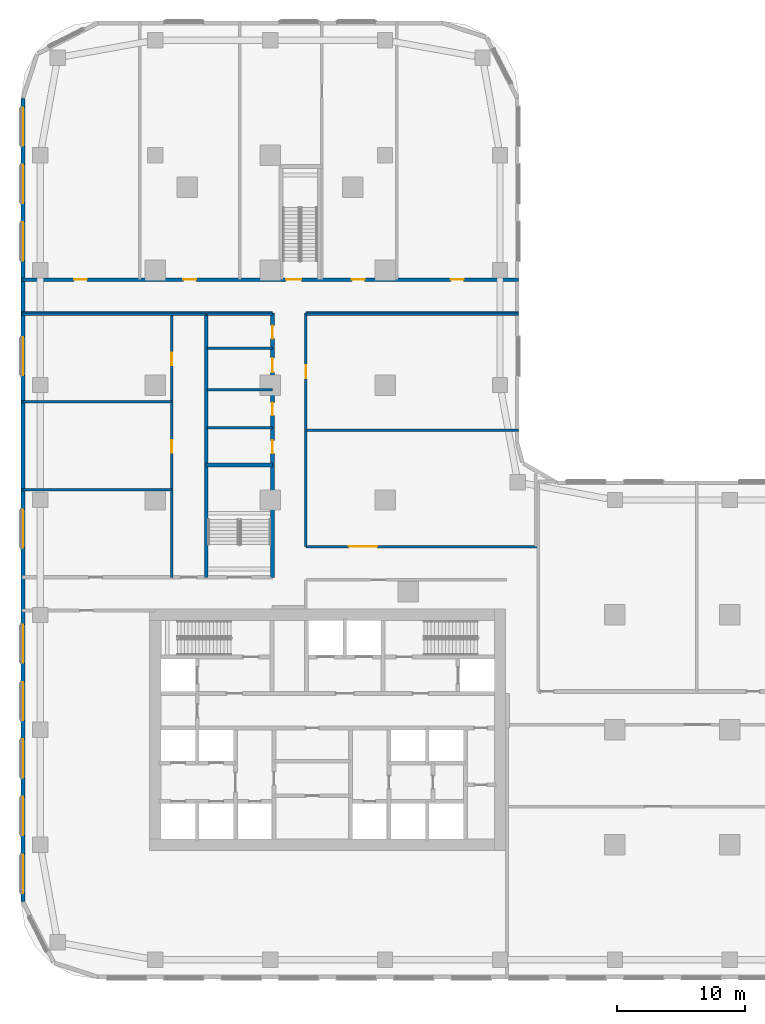
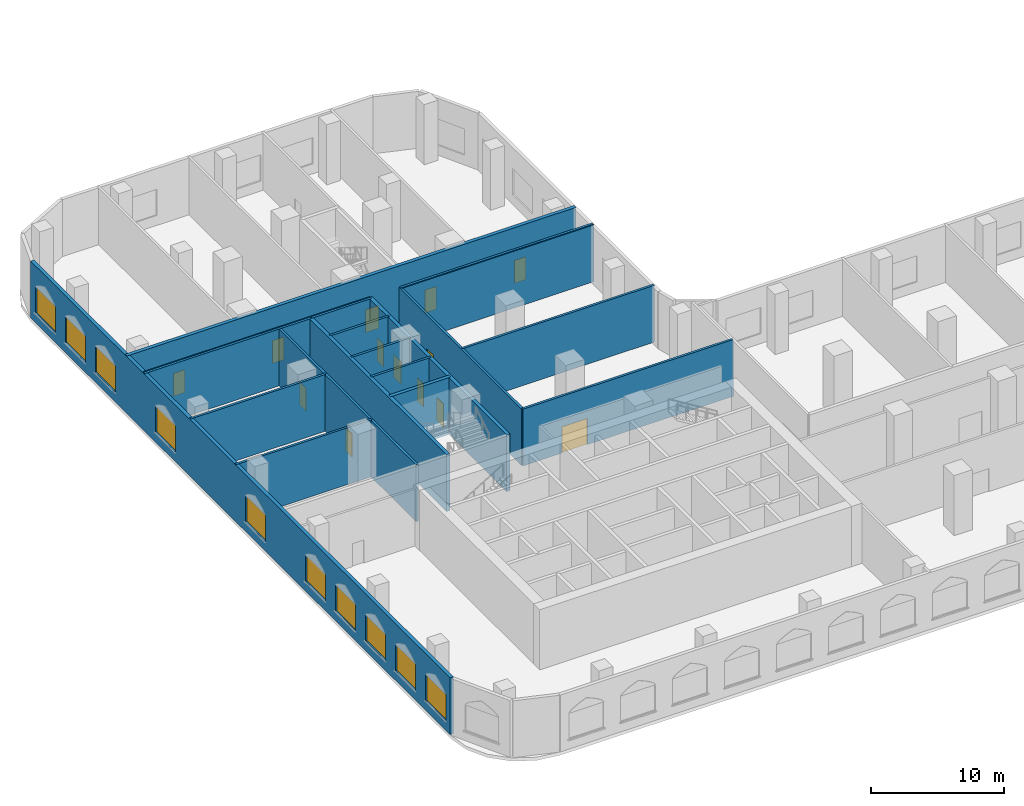
# One storey, part 6 of 31: 19 walls, 13 doors, 10 windows, 23 openings.
"""IFC4 building model written with IfcOpenShell, lengths in metres."""

from ifc_helpers import new_model, si_unit, direction, frame, frame_2d, origin, place, context, subcontext, project, spatial, rectangle, extrude, material, layer, layer_set, type_object, element, fill, save


model = new_model("IFC4")

# Units and contexts
model_context = context("Model", 3, precision=1e-05, world=origin(), true_north=direction((0.0, 1.0)))
body_context = subcontext(model_context, "Body", "Model", "MODEL_VIEW")
ifc_project = project(units=[si_unit("LENGTHUNIT", "METRE"), si_unit("AREAUNIT", "SQUARE_METRE"), si_unit("VOLUMEUNIT", "CUBIC_METRE"), si_unit("PLANEANGLEUNIT", "RADIAN"), si_unit("MASSUNIT", "GRAM", prefix="KILO")], contexts=[model_context])

# Site, building, storey
site_placement = place(None, origin())
site = spatial("IfcSite", under=ifc_project, at=site_placement, CompositionType="ELEMENT")
building_placement = place(site_placement, origin())
building = spatial("IfcBuilding", under=site, at=building_placement, Name="Ogive Portal Towers", CompositionType="ELEMENT")
storey_placement = place(building_placement, frame((0.0, 0.0, 8.0)))
storey = spatial("IfcBuildingStorey", under=building, at=storey_placement, Name="L01", CompositionType="ELEMENT", Elevation=8.0)

# Wall, openings, windows
ifc_material_1 = material(Name="Limestone cladding on lightweight block wall", Category="masonry")
ifc_layer_1 = layer(ifc_material_1, 0.300048828125)
ifc_layer_set_1 = layer_set([ifc_layer_1], Name="EXTERNAL WALL 300 STONE")
wall_type_1 = type_object("IfcWallType", Name="EXTERNAL WALL 300 STONE", PredefinedType="SOLIDWALL", material=ifc_layer_set_1)
wall_1_placement = place(storey_placement, frame((21.14990234375, 79.952392578125, 0.0), z_axis=(0.0, 0.0, 1.0), x_axis=(0.0, -1.0, 0.0)))
wall_1 = element("IfcWall", 1, at=wall_1_placement, inside=storey, type_object=wall_type_1, Name="A:L01:f17:w0", PredefinedType="SOLIDWALL", context=body_context, shape_type="SweptSolid", body=[
    extrude(rectangle(XDim=62.88037109375, YDim=0.300048828125, at=frame_2d((31.440185546875, 0.0))), origin(), (0.0, 0.0, 1.0), 5.199951171875),
])
opening_1_placement = place(wall_1_placement, frame((0.726318359375, 0.0, 0.89990234375)))
opening_1 = element("IfcOpeningElement", 2, at=opening_1_placement, cuts=wall_1, Name="Opening WN3", PredefinedType="OPENING", context=body_context, shape_type="SweptSolid", body=[
    extrude(rectangle(XDim=3.0, YDim=2.39990234375, at=frame_2d((1.5, 1.199951171875))), frame((0.0, 0.16015625, 0.0), z_axis=(0.0, -1.0, 0.0), x_axis=(1.0, 0.0, 0.0)), (0.0, 0.0, 1.0), 0.320068359375),
])
opening_2_placement = place(wall_1_placement, frame((5.202392578125, 0.0, 0.89990234375)))
opening_2 = element("IfcOpeningElement", 3, at=opening_2_placement, cuts=wall_1, Name="Opening WN3", PredefinedType="OPENING", context=body_context, shape_type="SweptSolid", body=[
    extrude(rectangle(XDim=3.0, YDim=2.39990234375, at=frame_2d((1.5, 1.199951171875))), frame((0.0, 0.16015625, 0.0), z_axis=(0.0, -1.0, 0.0), x_axis=(1.0, 0.0, 0.0)), (0.0, 0.0, 1.0), 0.320068359375),
])
opening_3_placement = place(wall_1_placement, frame((9.702392578125, 0.0, 0.89990234375)))
opening_3 = element("IfcOpeningElement", 4, at=opening_3_placement, cuts=wall_1, Name="Opening WN3", PredefinedType="OPENING", context=body_context, shape_type="SweptSolid", body=[
    extrude(rectangle(XDim=3.0, YDim=2.39990234375, at=frame_2d((1.5, 1.199951171875))), frame((0.0, 0.16015625, 0.0), z_axis=(0.0, -1.0, 0.0), x_axis=(1.0, 0.0, 0.0)), (0.0, 0.0, 1.0), 0.320068359375),
])
opening_4_placement = place(wall_1_placement, frame((18.702392578125, 0.0, 0.89990234375)))
opening_4 = element("IfcOpeningElement", 5, at=opening_4_placement, cuts=wall_1, Name="Opening WN3", PredefinedType="OPENING", context=body_context, shape_type="SweptSolid", body=[
    extrude(rectangle(XDim=3.0, YDim=2.39990234375, at=frame_2d((1.5, 1.199951171875))), frame((0.0, 0.16015625, 0.0), z_axis=(0.0, -1.0, 0.0), x_axis=(1.0, 0.0, 0.0)), (0.0, 0.0, 1.0), 0.320068359375),
])
opening_5_placement = place(wall_1_placement, frame((32.202392578125, 0.0, 0.89990234375)))
opening_5 = element("IfcOpeningElement", 6, at=opening_5_placement, cuts=wall_1, Name="Opening WN3", PredefinedType="OPENING", context=body_context, shape_type="SweptSolid", body=[
    extrude(rectangle(XDim=3.0, YDim=2.39990234375, at=frame_2d((1.5, 1.199951171875))), frame((0.0, 0.16015625, 0.0), z_axis=(0.0, -1.0, 0.0), x_axis=(1.0, 0.0, 0.0)), (0.0, 0.0, 1.0), 0.320068359375),
])
opening_6_placement = place(wall_1_placement, frame((41.202392578125, 0.0, 0.89990234375)))
opening_6 = element("IfcOpeningElement", 7, at=opening_6_placement, cuts=wall_1, Name="Opening WN3", PredefinedType="OPENING", context=body_context, shape_type="SweptSolid", body=[
    extrude(rectangle(XDim=3.0, YDim=2.39990234375, at=frame_2d((1.5, 1.199951171875))), frame((0.0, 0.16015625, 0.0), z_axis=(0.0, -1.0, 0.0), x_axis=(1.0, 0.0, 0.0)), (0.0, 0.0, 1.0), 0.320068359375),
])
opening_7_placement = place(wall_1_placement, frame((45.702392578125, 0.0, 0.89990234375)))
opening_7 = element("IfcOpeningElement", 8, at=opening_7_placement, cuts=wall_1, Name="Opening WN3", PredefinedType="OPENING", context=body_context, shape_type="SweptSolid", body=[
    extrude(rectangle(XDim=3.0, YDim=2.39990234375, at=frame_2d((1.5, 1.199951171875))), frame((0.0, 0.16015625, 0.0), z_axis=(0.0, -1.0, 0.0), x_axis=(1.0, 0.0, 0.0)), (0.0, 0.0, 1.0), 0.320068359375),
])
opening_8_placement = place(wall_1_placement, frame((50.202392578125, 0.0, 0.89990234375)))
opening_8 = element("IfcOpeningElement", 9, at=opening_8_placement, cuts=wall_1, Name="Opening WN3", PredefinedType="OPENING", context=body_context, shape_type="SweptSolid", body=[
    extrude(rectangle(XDim=3.0, YDim=2.39990234375, at=frame_2d((1.5, 1.199951171875))), frame((0.0, 0.16015625, 0.0), z_axis=(0.0, -1.0, 0.0), x_axis=(1.0, 0.0, 0.0)), (0.0, 0.0, 1.0), 0.320068359375),
])
opening_9_placement = place(wall_1_placement, frame((54.702392578125, 0.0, 0.89990234375)))
opening_9 = element("IfcOpeningElement", 10, at=opening_9_placement, cuts=wall_1, Name="Opening WN3", PredefinedType="OPENING", context=body_context, shape_type="SweptSolid", body=[
    extrude(rectangle(XDim=3.0, YDim=2.39990234375, at=frame_2d((1.5, 1.199951171875))), frame((0.0, 0.16015625, 0.0), z_axis=(0.0, -1.0, 0.0), x_axis=(1.0, 0.0, 0.0)), (0.0, 0.0, 1.0), 0.320068359375),
])
opening_10_placement = place(wall_1_placement, frame((59.226318359375, 0.0, 0.89990234375)))
opening_10 = element("IfcOpeningElement", 11, at=opening_10_placement, cuts=wall_1, Name="Opening WN3", PredefinedType="OPENING", context=body_context, shape_type="SweptSolid", body=[
    extrude(rectangle(XDim=3.0, YDim=2.39990234375, at=frame_2d((1.5, 1.199951171875))), frame((0.0, 0.16015625, 0.0), z_axis=(0.0, -1.0, 0.0), x_axis=(1.0, 0.0, 0.0)), (0.0, 0.0, 1.0), 0.320068359375),
])
ifc_material_2 = material(Name="Glass, clear low-iron insulated glazing", Category="glass")
window_type = type_object("IfcWindowType", Name="WINDOW PODIUM 3000x2400", PartitioningType="SINGLE_PANEL", PredefinedType="WINDOW", material=ifc_material_2)
window_1_placement = place(opening_1_placement, origin())
window_1 = element("IfcWindow", 12, at=window_1_placement, inside=storey, type_object=window_type, Name="A:L01:f17:w0:o0", OverallHeight=2.39990234375, OverallWidth=3.0, PartitioningType="SINGLE_PANEL", PredefinedType="WINDOW", context=body_context, shape_type="SweptSolid", body=[
    extrude(rectangle(XDim=3.0, YDim=2.39990234375, at=frame_2d((1.5, 1.199951171875))), frame((0.0, 0.030029296875, 0.0), z_axis=(0.0, -1.0, 0.0), x_axis=(1.0, 0.0, 0.0)), (0.0, 0.0, 1.0), 0.06005859375),
])
fill(opening_1, window_1)
window_2_placement = place(opening_2_placement, origin())
window_2 = element("IfcWindow", 13, at=window_2_placement, inside=storey, type_object=window_type, Name="A:L01:f17:w0:o1a", OverallHeight=2.39990234375, OverallWidth=3.0, PartitioningType="SINGLE_PANEL", PredefinedType="WINDOW", context=body_context, shape_type="SweptSolid", body=[
    extrude(rectangle(XDim=3.0, YDim=2.39990234375, at=frame_2d((1.5, 1.199951171875))), frame((0.0, 0.030029296875, 0.0), z_axis=(0.0, -1.0, 0.0), x_axis=(1.0, 0.0, 0.0)), (0.0, 0.0, 1.0), 0.06005859375),
])
fill(opening_2, window_2)
window_3_placement = place(opening_3_placement, origin())
window_3 = element("IfcWindow", 14, at=window_3_placement, inside=storey, type_object=window_type, Name="A:L01:f17:w0:o1b", OverallHeight=2.39990234375, OverallWidth=3.0, PartitioningType="SINGLE_PANEL", PredefinedType="WINDOW", context=body_context, shape_type="SweptSolid", body=[
    extrude(rectangle(XDim=3.0, YDim=2.39990234375, at=frame_2d((1.5, 1.199951171875))), frame((0.0, 0.030029296875, 0.0), z_axis=(0.0, -1.0, 0.0), x_axis=(1.0, 0.0, 0.0)), (0.0, 0.0, 1.0), 0.06005859375),
])
fill(opening_3, window_3)
window_4_placement = place(opening_4_placement, origin())
window_4 = element("IfcWindow", 15, at=window_4_placement, inside=storey, type_object=window_type, Name="A:L01:f17:w0:o2b", OverallHeight=2.39990234375, OverallWidth=3.0, PartitioningType="SINGLE_PANEL", PredefinedType="WINDOW", context=body_context, shape_type="SweptSolid", body=[
    extrude(rectangle(XDim=3.0, YDim=2.39990234375, at=frame_2d((1.5, 1.199951171875))), frame((0.0, 0.030029296875, 0.0), z_axis=(0.0, -1.0, 0.0), x_axis=(1.0, 0.0, 0.0)), (0.0, 0.0, 1.0), 0.06005859375),
])
fill(opening_4, window_4)
window_5_placement = place(opening_5_placement, origin())
window_5 = element("IfcWindow", 16, at=window_5_placement, inside=storey, type_object=window_type, Name="A:L01:f17:w0:o4a", OverallHeight=2.39990234375, OverallWidth=3.0, PartitioningType="SINGLE_PANEL", PredefinedType="WINDOW", context=body_context, shape_type="SweptSolid", body=[
    extrude(rectangle(XDim=3.0, YDim=2.39990234375, at=frame_2d((1.5, 1.199951171875))), frame((0.0, 0.030029296875, 0.0), z_axis=(0.0, -1.0, 0.0), x_axis=(1.0, 0.0, 0.0)), (0.0, 0.0, 1.0), 0.06005859375),
])
fill(opening_5, window_5)
window_6_placement = place(opening_6_placement, origin())
window_6 = element("IfcWindow", 17, at=window_6_placement, inside=storey, type_object=window_type, Name="A:L01:f17:w0:o5a", OverallHeight=2.39990234375, OverallWidth=3.0, PartitioningType="SINGLE_PANEL", PredefinedType="WINDOW", context=body_context, shape_type="SweptSolid", body=[
    extrude(rectangle(XDim=3.0, YDim=2.39990234375, at=frame_2d((1.5, 1.199951171875))), frame((0.0, 0.030029296875, 0.0), z_axis=(0.0, -1.0, 0.0), x_axis=(1.0, 0.0, 0.0)), (0.0, 0.0, 1.0), 0.06005859375),
])
fill(opening_6, window_6)
window_7_placement = place(opening_7_placement, origin())
window_7 = element("IfcWindow", 18, at=window_7_placement, inside=storey, type_object=window_type, Name="A:L01:f17:w0:o5b", OverallHeight=2.39990234375, OverallWidth=3.0, PartitioningType="SINGLE_PANEL", PredefinedType="WINDOW", context=body_context, shape_type="SweptSolid", body=[
    extrude(rectangle(XDim=3.0, YDim=2.39990234375, at=frame_2d((1.5, 1.199951171875))), frame((0.0, 0.030029296875, 0.0), z_axis=(0.0, -1.0, 0.0), x_axis=(1.0, 0.0, 0.0)), (0.0, 0.0, 1.0), 0.06005859375),
])
fill(opening_7, window_7)
window_8_placement = place(opening_8_placement, origin())
window_8 = element("IfcWindow", 19, at=window_8_placement, inside=storey, type_object=window_type, Name="A:L01:f17:w0:o6a", OverallHeight=2.39990234375, OverallWidth=3.0, PartitioningType="SINGLE_PANEL", PredefinedType="WINDOW", context=body_context, shape_type="SweptSolid", body=[
    extrude(rectangle(XDim=3.0, YDim=2.39990234375, at=frame_2d((1.5, 1.199951171875))), frame((0.0, 0.030029296875, 0.0), z_axis=(0.0, -1.0, 0.0), x_axis=(1.0, 0.0, 0.0)), (0.0, 0.0, 1.0), 0.06005859375),
])
fill(opening_8, window_8)
window_9_placement = place(opening_9_placement, origin())
window_9 = element("IfcWindow", 20, at=window_9_placement, inside=storey, type_object=window_type, Name="A:L01:f17:w0:o6b", OverallHeight=2.39990234375, OverallWidth=3.0, PartitioningType="SINGLE_PANEL", PredefinedType="WINDOW", context=body_context, shape_type="SweptSolid", body=[
    extrude(rectangle(XDim=3.0, YDim=2.39990234375, at=frame_2d((1.5, 1.199951171875))), frame((0.0, 0.030029296875, 0.0), z_axis=(0.0, -1.0, 0.0), x_axis=(1.0, 0.0, 0.0)), (0.0, 0.0, 1.0), 0.06005859375),
])
fill(opening_9, window_9)
window_10_placement = place(opening_10_placement, origin())
window_10 = element("IfcWindow", 21, at=window_10_placement, inside=storey, type_object=window_type, Name="A:L01:f17:w0:o7", OverallHeight=2.39990234375, OverallWidth=3.0, PartitioningType="SINGLE_PANEL", PredefinedType="WINDOW", context=body_context, shape_type="SweptSolid", body=[
    extrude(rectangle(XDim=3.0, YDim=2.39990234375, at=frame_2d((1.5, 1.199951171875))), frame((0.0, 0.030029296875, 0.0), z_axis=(0.0, -1.0, 0.0), x_axis=(1.0, 0.0, 0.0)), (0.0, 0.0, 1.0), 0.06005859375),
])
fill(opening_10, window_10)

# Wall
ifc_material_3 = material(Name="Concrete C50/60", Category="concrete")
ifc_layer_2 = layer(ifc_material_3, 0.300048828125)
ifc_layer_set_2 = layer_set([ifc_layer_2], Name="STAIR WALL 300 C50")
wall_type_2 = type_object("IfcWallType", Name="STAIR WALL 300 C50", PredefinedType="SHEAR", material=ifc_layer_set_2)
wall_2_placement = place(storey_placement, frame((35.5, 51.25, 0.0), z_axis=(0.0, 0.0, 1.0), x_axis=(1.0, 0.0, 0.0)))
element("IfcWall", 22, at=wall_2_placement, inside=storey, type_object=wall_type_2, Name="Stair wall ST-P2 L01", PredefinedType="SHEAR", context=body_context, shape_type="SweptSolid", body=[
    extrude(rectangle(XDim=5.199951171875, YDim=0.300048828125, at=frame_2d((2.60009765625, 0.0))), origin(), (0.0, 0.0, 1.0), 5.199951171875),
])

# Wall, openings, doors
wall_3_placement = place(storey_placement, frame((21.070068359375, 65.75, 0.0), z_axis=(0.0, 0.0, 1.0), x_axis=(1.0, 0.0, 0.0)))
wall_3 = element("IfcWall", 23, at=wall_3_placement, inside=storey, type_object=wall_type_2, Name="Stair wall ST-A3 L01", PredefinedType="SHEAR", context=body_context, shape_type="SweptSolid", body=[
    extrude(rectangle(XDim=38.85986328125, YDim=0.300048828125, at=frame_2d((19.429931640625, 0.0))), origin(), (0.0, 0.0, 1.0), 5.199951171875),
])
opening_11_placement = place(wall_3_placement, frame((20.679931640625, 0.0, 0.0)))
opening_11 = element("IfcOpeningElement", 24, at=opening_11_placement, cuts=wall_3, Name="Opening P01-001", PredefinedType="OPENING", context=body_context, shape_type="SweptSolid", body=[
    extrude(rectangle(XDim=1.199951171875, YDim=2.10009765625, at=frame_2d((0.60009765625, 1.050048828125))), frame((0.0, 0.16015625, 0.0), z_axis=(0.0, -1.0, 0.0), x_axis=(1.0, 0.0, 0.0)), (0.0, 0.0, 1.0), 0.320068359375),
])
opening_12_placement = place(wall_3_placement, frame((25.839111328125, 0.0, 0.0)))
opening_12 = element("IfcOpeningElement", 25, at=opening_12_placement, cuts=wall_3, Name="Opening P01-008", PredefinedType="OPENING", context=body_context, shape_type="SweptSolid", body=[
    extrude(rectangle(XDim=1.0, YDim=2.10009765625, at=frame_2d((0.5, 1.050048828125))), frame((0.0, 0.16015625, 0.0), z_axis=(0.0, -1.0, 0.0), x_axis=(1.0, 0.0, 0.0)), (0.0, 0.0, 1.0), 0.320068359375),
])
opening_13_placement = place(wall_3_placement, frame((4.0830078125, 0.0, 0.0)))
opening_13 = element("IfcOpeningElement", 26, at=opening_13_placement, cuts=wall_3, Name="Opening P01-029", PredefinedType="OPENING", context=body_context, shape_type="SweptSolid", body=[
    extrude(rectangle(XDim=1.0, YDim=2.10009765625, at=frame_2d((0.5, 1.050048828125))), frame((0.0, 0.16015625, 0.0), z_axis=(0.0, -1.0, 0.0), x_axis=(1.0, 0.0, 0.0)), (0.0, 0.0, 1.0), 0.320068359375),
])
opening_14_placement = place(wall_3_placement, frame((12.632080078125, 0.0, 0.0)))
opening_14 = element("IfcOpeningElement", 27, at=opening_14_placement, cuts=wall_3, Name="Opening P01-030", PredefinedType="OPENING", context=body_context, shape_type="SweptSolid", body=[
    extrude(rectangle(XDim=1.0, YDim=2.10009765625, at=frame_2d((0.5, 1.050048828125))), frame((0.0, 0.16015625, 0.0), z_axis=(0.0, -1.0, 0.0), x_axis=(1.0, 0.0, 0.0)), (0.0, 0.0, 1.0), 0.320068359375),
])
opening_15_placement = place(wall_3_placement, frame((33.577880859375, 0.0, 0.0)))
opening_15 = element("IfcOpeningElement", 28, at=opening_15_placement, cuts=wall_3, Name="Opening P01-031", PredefinedType="OPENING", context=body_context, shape_type="SweptSolid", body=[
    extrude(rectangle(XDim=1.0, YDim=2.10009765625, at=frame_2d((0.5, 1.050048828125))), frame((0.0, 0.16015625, 0.0), z_axis=(0.0, -1.0, 0.0), x_axis=(1.0, 0.0, 0.0)), (0.0, 0.0, 1.0), 0.320068359375),
])
ifc_material_4 = material(Name="Steel fire door", Category="steel")
door_type_1 = type_object("IfcDoorType", Name="DT-SWING-1000x2100-FD90S", OperationType="SINGLE_SWING_LEFT", PredefinedType="DOOR", material=ifc_material_4)
door_1_placement = place(opening_12_placement, origin())
door_1 = element("IfcDoor", 29, at=door_1_placement, inside=storey, type_object=door_type_1, Name="Door P01-008", OperationType="SINGLE_SWING_RIGHT", OverallHeight=2.10009765625, OverallWidth=1.0, PredefinedType="DOOR", context=body_context, shape_type="SweptSolid", body=[
    extrude(rectangle(XDim=1.0, YDim=2.10009765625, at=frame_2d((0.5, 1.050048828125))), frame((0.0, 0.02490234375, 0.0), z_axis=(0.0, -1.0, 0.0), x_axis=(1.0, 0.0, 0.0)), (0.0, 0.0, 1.0), 0.050048828125),
])
fill(opening_12, door_1)
door_2_placement = place(opening_13_placement, origin())
door_2 = element("IfcDoor", 30, at=door_2_placement, inside=storey, type_object=door_type_1, Name="Door P01-029", OperationType="SINGLE_SWING_LEFT", OverallHeight=2.10009765625, OverallWidth=1.0, PredefinedType="DOOR", context=body_context, shape_type="SweptSolid", body=[
    extrude(rectangle(XDim=1.0, YDim=2.10009765625, at=frame_2d((0.5, 1.050048828125))), frame((0.0, 0.02490234375, 0.0), z_axis=(0.0, -1.0, 0.0), x_axis=(1.0, 0.0, 0.0)), (0.0, 0.0, 1.0), 0.050048828125),
])
fill(opening_13, door_2)
door_3_placement = place(opening_14_placement, origin())
door_3 = element("IfcDoor", 31, at=door_3_placement, inside=storey, type_object=door_type_1, Name="Door P01-030", OperationType="SINGLE_SWING_RIGHT", OverallHeight=2.10009765625, OverallWidth=1.0, PredefinedType="DOOR", context=body_context, shape_type="SweptSolid", body=[
    extrude(rectangle(XDim=1.0, YDim=2.10009765625, at=frame_2d((0.5, 1.050048828125))), frame((0.0, 0.02490234375, 0.0), z_axis=(0.0, -1.0, 0.0), x_axis=(1.0, 0.0, 0.0)), (0.0, 0.0, 1.0), 0.050048828125),
])
fill(opening_14, door_3)
door_4_placement = place(opening_15_placement, origin())
door_4 = element("IfcDoor", 32, at=door_4_placement, inside=storey, type_object=door_type_1, Name="Door P01-031", OperationType="SINGLE_SWING_LEFT", OverallHeight=2.10009765625, OverallWidth=1.0, PredefinedType="DOOR", context=body_context, shape_type="SweptSolid", body=[
    extrude(rectangle(XDim=1.0, YDim=2.10009765625, at=frame_2d((0.5, 1.050048828125))), frame((0.0, 0.02490234375, 0.0), z_axis=(0.0, -1.0, 0.0), x_axis=(1.0, 0.0, 0.0)), (0.0, 0.0, 1.0), 0.050048828125),
])
fill(opening_15, door_4)
door_type_2 = type_object("IfcDoorType", Name="DT-SWING-1200x2100-FD90S", OperationType="SINGLE_SWING_LEFT", PredefinedType="DOOR", material=ifc_material_4)
door_5_placement = place(opening_11_placement, origin())
door_5 = element("IfcDoor", 33, at=door_5_placement, inside=storey, type_object=door_type_2, Name="Door P01-001", OperationType="SINGLE_SWING_LEFT", OverallHeight=2.10009765625, OverallWidth=1.199951171875, PredefinedType="DOOR", context=body_context, shape_type="SweptSolid", body=[
    extrude(rectangle(XDim=1.199951171875, YDim=2.10009765625, at=frame_2d((0.60009765625, 1.050048828125))), frame((0.0, 0.02490234375, 0.0), z_axis=(0.0, -1.0, 0.0), x_axis=(1.0, 0.0, 0.0)), (0.0, 0.0, 1.0), 0.050048828125),
])
fill(opening_11, door_5)

# Wall
wall_4_placement = place(storey_placement, frame((35.5, 42.449951171875, 0.0), z_axis=(0.0, 0.0, 1.0), x_axis=(0.0, 1.0, 0.0)))
element("IfcWall", 34, at=wall_4_placement, inside=storey, type_object=wall_type_2, Name="Stair wall ST-P2 L01", PredefinedType="SHEAR", context=body_context, shape_type="SweptSolid", body=[
    extrude(rectangle(XDim=20.60009765625, YDim=0.300048828125, at=frame_2d((10.300048828125, 0.0))), origin(), (0.0, 0.0, 1.0), 5.199951171875),
])

# Wall, openings, doors
wall_5_placement = place(storey_placement, frame((40.699951171875, 42.449951171875, 0.0), z_axis=(0.0, 0.0, 1.0), x_axis=(0.0, 1.0, 0.0)))
wall_5 = element("IfcWall", 35, at=wall_5_placement, inside=storey, type_object=wall_type_2, Name="Stair wall ST-P2 L01", PredefinedType="SHEAR", context=body_context, shape_type="SweptSolid", body=[
    extrude(rectangle(XDim=20.699951171875, YDim=0.300048828125, at=frame_2d((10.35009765625, 0.0))), origin(), (0.0, 0.0, 1.0), 5.199951171875),
])
opening_16_placement = place(wall_5_placement, frame((9.7099609375, 0.0, 0.0)))
opening_16 = element("IfcOpeningElement", 36, at=opening_16_placement, cuts=wall_5, Name="Opening P01-023", PredefinedType="OPENING", context=body_context, shape_type="SweptSolid", body=[
    extrude(rectangle(XDim=1.0, YDim=2.10009765625, at=frame_2d((0.5, 1.050048828125))), frame((0.0, 0.16015625, 0.0), z_axis=(0.0, -1.0, 0.0), x_axis=(1.0, 0.0, 0.0)), (0.0, 0.0, 1.0), 0.320068359375),
])
opening_17_placement = place(wall_5_placement, frame((12.673095703125, 0.0, 0.0)))
opening_17 = element("IfcOpeningElement", 37, at=opening_17_placement, cuts=wall_5, Name="Opening P01-024", PredefinedType="OPENING", context=body_context, shape_type="SweptSolid", body=[
    extrude(rectangle(XDim=1.0, YDim=2.10009765625, at=frame_2d((0.5, 1.050048828125))), frame((0.0, 0.16015625, 0.0), z_axis=(0.0, -1.0, 0.0), x_axis=(1.0, 0.0, 0.0)), (0.0, 0.0, 1.0), 0.320068359375),
])
opening_18_placement = place(wall_5_placement, frame((16.050048828125, 0.0, 0.0)))
opening_18 = element("IfcOpeningElement", 38, at=opening_18_placement, cuts=wall_5, Name="Opening P01-025", PredefinedType="OPENING", context=body_context, shape_type="SweptSolid", body=[
    extrude(rectangle(XDim=1.10009765625, YDim=2.10009765625, at=frame_2d((0.550048828125, 1.050048828125))), frame((0.0, 0.16015625, 0.0), z_axis=(0.0, -1.0, 0.0), x_axis=(1.0, 0.0, 0.0)), (0.0, 0.0, 1.0), 0.320068359375),
])
opening_19_placement = place(wall_5_placement, frame((18.694091796875, 0.0, 0.0)))
opening_19 = element("IfcOpeningElement", 39, at=opening_19_placement, cuts=wall_5, Name="Opening P01-026", PredefinedType="OPENING", context=body_context, shape_type="SweptSolid", body=[
    extrude(rectangle(XDim=1.0, YDim=2.10009765625, at=frame_2d((0.5, 1.050048828125))), frame((0.0, 0.16015625, 0.0), z_axis=(0.0, -1.0, 0.0), x_axis=(1.0, 0.0, 0.0)), (0.0, 0.0, 1.0), 0.320068359375),
])
door_type_3 = type_object("IfcDoorType", Name="DT-ACCESS-1100x2100-FD90S", OperationType="SINGLE_SWING_LEFT", PredefinedType="DOOR", material=ifc_material_4)
door_6_placement = place(opening_18_placement, origin())
door_6 = element("IfcDoor", 40, at=door_6_placement, inside=storey, type_object=door_type_3, Name="Door P01-025", OperationType="SINGLE_SWING_LEFT", OverallHeight=2.10009765625, OverallWidth=1.10009765625, PredefinedType="DOOR", context=body_context, shape_type="SweptSolid", body=[
    extrude(rectangle(XDim=1.10009765625, YDim=2.10009765625, at=frame_2d((0.550048828125, 1.050048828125))), frame((0.0, 0.02490234375, 0.0), z_axis=(0.0, -1.0, 0.0), x_axis=(1.0, 0.0, 0.0)), (0.0, 0.0, 1.0), 0.050048828125),
])
fill(opening_18, door_6)
door_7_placement = place(opening_16_placement, origin())
door_7 = element("IfcDoor", 41, at=door_7_placement, inside=storey, type_object=door_type_1, Name="Door P01-023", OperationType="SINGLE_SWING_LEFT", OverallHeight=2.10009765625, OverallWidth=1.0, PredefinedType="DOOR", context=body_context, shape_type="SweptSolid", body=[
    extrude(rectangle(XDim=1.0, YDim=2.10009765625, at=frame_2d((0.5, 1.050048828125))), frame((0.0, 0.02490234375, 0.0), z_axis=(0.0, -1.0, 0.0), x_axis=(1.0, 0.0, 0.0)), (0.0, 0.0, 1.0), 0.050048828125),
])
fill(opening_16, door_7)
door_8_placement = place(opening_17_placement, origin())
door_8 = element("IfcDoor", 42, at=door_8_placement, inside=storey, type_object=door_type_1, Name="Door P01-024", OperationType="SINGLE_SWING_RIGHT", OverallHeight=2.10009765625, OverallWidth=1.0, PredefinedType="DOOR", context=body_context, shape_type="SweptSolid", body=[
    extrude(rectangle(XDim=1.0, YDim=2.10009765625, at=frame_2d((0.5, 1.050048828125))), frame((0.0, 0.02490234375, 0.0), z_axis=(0.0, -1.0, 0.0), x_axis=(1.0, 0.0, 0.0)), (0.0, 0.0, 1.0), 0.050048828125),
])
fill(opening_17, door_8)
door_9_placement = place(opening_19_placement, origin())
door_9 = element("IfcDoor", 43, at=door_9_placement, inside=storey, type_object=door_type_1, Name="Door P01-026", OperationType="SINGLE_SWING_RIGHT", OverallHeight=2.10009765625, OverallWidth=1.0, PredefinedType="DOOR", context=body_context, shape_type="SweptSolid", body=[
    extrude(rectangle(XDim=1.0, YDim=2.10009765625, at=frame_2d((0.5, 1.050048828125))), frame((0.0, 0.02490234375, 0.0), z_axis=(0.0, -1.0, 0.0), x_axis=(1.0, 0.0, 0.0)), (0.0, 0.0, 1.0), 0.050048828125),
])
fill(opening_19, door_9)

# Wall, opening, door
ifc_material_5 = material(Name="Gypsum board partition on steel studs", Category="steel")
ifc_layer_3 = layer(ifc_material_5, 0.199951171875)
ifc_layer_set_3 = layer_set([ifc_layer_3], Name="WT-PART-200-EI 60")
wall_type_3 = type_object("IfcWallType", Name="WT-PART-200-EI 60", PredefinedType="PARTITIONING", material=ifc_layer_set_3)
wall_6_placement = place(storey_placement, frame((43.300048828125, 44.85009765625, 0.0), z_axis=(0.0, 0.0, 1.0), x_axis=(1.0, 0.0, 0.0)))
wall_6 = element("IfcWall", 44, at=wall_6_placement, inside=storey, type_object=wall_type_3, Name="Wall L01:w030", PredefinedType="PARTITIONING", context=body_context, shape_type="SweptSolid", body=[
    extrude(rectangle(XDim=18.199951171875, YDim=0.199951171875, at=frame_2d((9.10009765625, 0.0))), origin(), (0.0, 0.0, 1.0), 5.199951171875),
])
opening_20_placement = place(wall_6_placement, frame((3.376953125, 0.0, 0.0)))
opening_20 = element("IfcOpeningElement", 45, at=opening_20_placement, cuts=wall_6, Name="Opening P01-027", PredefinedType="OPENING", context=body_context, shape_type="SweptSolid", body=[
    extrude(rectangle(XDim=2.199951171875, YDim=2.39990234375, at=frame_2d((1.10009765625, 1.199951171875))), frame((0.0, 0.10986328125, 0.0), z_axis=(0.0, -1.0, 0.0), x_axis=(1.0, 0.0, 0.0)), (0.0, 0.0, 1.0), 0.219970703125),
])
door_type_4 = type_object("IfcDoorType", Name="DT-PLANT-2200x2400-FD60S", OperationType="SINGLE_SWING_LEFT", PredefinedType="DOOR", material=ifc_material_4)
door_10_placement = place(opening_20_placement, origin())
door_10 = element("IfcDoor", 46, at=door_10_placement, inside=storey, type_object=door_type_4, Name="Door P01-027", OperationType="SINGLE_SWING_LEFT", OverallHeight=2.39990234375, OverallWidth=2.199951171875, PredefinedType="DOOR", context=body_context, shape_type="SweptSolid", body=[
    extrude(rectangle(XDim=2.199951171875, YDim=2.39990234375, at=frame_2d((1.10009765625, 1.199951171875))), frame((0.0, 0.02490234375, 0.0), z_axis=(0.0, -1.0, 0.0), x_axis=(1.0, 0.0, 0.0)), (0.0, 0.0, 1.0), 0.050048828125),
])
fill(opening_20, door_10)

# Walls
wall_7_placement = place(storey_placement, frame((21.070068359375, 49.31689453125, 0.0), z_axis=(0.0, 0.0, 1.0), x_axis=(1.0, 0.0, 0.0)))
element("IfcWall", 47, at=wall_7_placement, inside=storey, type_object=wall_type_3, Name="Wall L01:w031", PredefinedType="PARTITIONING", context=body_context, shape_type="SweptSolid", body=[
    extrude(rectangle(XDim=11.72998046875, YDim=0.199951171875, at=frame_2d((5.864990234375, 0.0))), origin(), (0.0, 0.0, 1.0), 5.199951171875),
])
wall_8_placement = place(storey_placement, frame((43.300048828125, 53.949951171875, 0.0), z_axis=(0.0, 0.0, 1.0), x_axis=(1.0, 0.0, 0.0)))
element("IfcWall", 48, at=wall_8_placement, inside=storey, type_object=wall_type_3, Name="Wall L01:w034", PredefinedType="PARTITIONING", context=body_context, shape_type="SweptSolid", body=[
    extrude(rectangle(XDim=16.6298828125, YDim=0.199951171875, at=frame_2d((8.31494140625, 0.0))), origin(), (0.0, 0.0, 1.0), 5.199951171875),
])
wall_9_placement = place(storey_placement, frame((35.550048828125, 54.162109375, 0.0), z_axis=(0.0, 0.0, 1.0), x_axis=(1.0, 0.0, 0.0)))
element("IfcWall", 49, at=wall_9_placement, inside=storey, type_object=wall_type_3, Name="Wall L01:w035", PredefinedType="PARTITIONING", context=body_context, shape_type="SweptSolid", body=[
    extrude(rectangle(XDim=5.14990234375, YDim=0.199951171875, at=frame_2d((2.574951171875, 0.0))), origin(), (0.0, 0.0, 1.0), 5.199951171875),
])
wall_10_placement = place(storey_placement, frame((21.070068359375, 56.18310546875, 0.0), z_axis=(0.0, 0.0, 1.0), x_axis=(1.0, 0.0, 0.0)))
element("IfcWall", 50, at=wall_10_placement, inside=storey, type_object=wall_type_3, Name="Wall L01:w036", PredefinedType="PARTITIONING", context=body_context, shape_type="SweptSolid", body=[
    extrude(rectangle(XDim=11.72998046875, YDim=0.199951171875, at=frame_2d((5.864990234375, 0.0))), origin(), (0.0, 0.0, 1.0), 5.199951171875),
])
for number, where, z_axis, x_axis, name in (
    (51, (35.550048828125, 57.125, 0.0), (0.0, 0.0, 1.0), (1.0, 0.0, 0.0), "Wall L01:w037"),
    (52, (35.550048828125, 60.364013671875, 0.0), (0.0, 0.0, 1.0), (1.0, 0.0, 0.0), "Wall L01:w038"),
):
    element("IfcWall", number, at=place(storey_placement, frame(where, z_axis=z_axis, x_axis=x_axis)), inside=storey, type_object=wall_type_3, Name=name, PredefinedType="PARTITIONING", context=body_context, shape_type="SweptSolid", body=[
        extrude(rectangle(XDim=5.14990234375, YDim=0.199951171875, at=frame_2d((2.574951171875, 0.0))), origin(), (0.0, 0.0, 1.0), 5.199951171875),
    ])
wall_11_placement = place(storey_placement, frame((21.070068359375, 63.050048828125, 0.0), z_axis=(0.0, 0.0, 1.0), x_axis=(1.0, 0.0, 0.0)))
element("IfcWall", 53, at=wall_11_placement, inside=storey, type_object=wall_type_3, Name="Wall L01:w039", PredefinedType="PARTITIONING", context=body_context, shape_type="SweptSolid", body=[
    extrude(rectangle(XDim=14.429931640625, YDim=0.199951171875, at=frame_2d((7.21484375, 0.0))), origin(), (0.0, 0.0, 1.0), 5.199951171875),
])
wall_12_placement = place(storey_placement, frame((35.550048828125, 63.050048828125, 0.0), z_axis=(0.0, 0.0, 1.0), x_axis=(1.0, 0.0, 0.0)))
element("IfcWall", 54, at=wall_12_placement, inside=storey, type_object=wall_type_3, Name="Wall L01:w040", PredefinedType="PARTITIONING", context=body_context, shape_type="SweptSolid", body=[
    extrude(rectangle(XDim=5.14990234375, YDim=0.199951171875, at=frame_2d((2.574951171875, 0.0))), origin(), (0.0, 0.0, 1.0), 5.199951171875),
])
wall_13_placement = place(storey_placement, frame((43.300048828125, 63.050048828125, 0.0), z_axis=(0.0, 0.0, 1.0), x_axis=(1.0, 0.0, 0.0)))
element("IfcWall", 55, at=wall_13_placement, inside=storey, type_object=wall_type_3, Name="Wall L01:w041", PredefinedType="PARTITIONING", context=body_context, shape_type="SweptSolid", body=[
    extrude(rectangle(XDim=16.6298828125, YDim=0.199951171875, at=frame_2d((8.31494140625, 0.0))), origin(), (0.0, 0.0, 1.0), 5.199951171875),
])
wall_14_placement = place(storey_placement, frame((21.070068359375, 63.14990234375, 0.0), z_axis=(0.0, 0.0, 1.0), x_axis=(1.0, 0.0, 0.0)))
element("IfcWall", 56, at=wall_14_placement, inside=storey, type_object=wall_type_3, Name="Wall L01:w042", PredefinedType="PARTITIONING", context=body_context, shape_type="SweptSolid", body=[
    extrude(rectangle(XDim=19.6298828125, YDim=0.199951171875, at=frame_2d((9.81494140625, 0.0))), origin(), (0.0, 0.0, 1.0), 5.199951171875),
])
wall_15_placement = place(storey_placement, frame((43.300048828125, 63.14990234375, 0.0), z_axis=(0.0, 0.0, 1.0), x_axis=(1.0, 0.0, 0.0)))
element("IfcWall", 57, at=wall_15_placement, inside=storey, type_object=wall_type_3, Name="Wall L01:w043", PredefinedType="PARTITIONING", context=body_context, shape_type="SweptSolid", body=[
    extrude(rectangle(XDim=16.6298828125, YDim=0.199951171875, at=frame_2d((8.31494140625, 0.0))), origin(), (0.0, 0.0, 1.0), 5.199951171875),
])

# Wall, openings, doors
wall_16_placement = place(storey_placement, frame((32.800048828125, 42.449951171875, 0.0), z_axis=(0.0, 0.0, 1.0), x_axis=(0.0, 1.0, 0.0)))
wall_16 = element("IfcWall", 58, at=wall_16_placement, inside=storey, type_object=wall_type_3, Name="Wall L01:w067", PredefinedType="PARTITIONING", context=body_context, shape_type="SweptSolid", body=[
    extrude(rectangle(XDim=20.60009765625, YDim=0.199951171875, at=frame_2d((10.300048828125, 0.0))), origin(), (0.0, 0.0, 1.0), 5.199951171875),
])
opening_21_placement = place(wall_16_placement, frame((9.72998046875, 0.0, 0.0)))
opening_21 = element("IfcOpeningElement", 59, at=opening_21_placement, cuts=wall_16, Name="Opening P01-021", PredefinedType="OPENING", context=body_context, shape_type="SweptSolid", body=[
    extrude(rectangle(XDim=1.0, YDim=2.10009765625, at=frame_2d((0.5, 1.050048828125))), frame((0.0, 0.10986328125, 0.0), z_axis=(0.0, -1.0, 0.0), x_axis=(1.0, 0.0, 0.0)), (0.0, 0.0, 1.0), 0.219970703125),
])
opening_22_placement = place(wall_16_placement, frame((16.596923828125, 0.0, 0.0)))
opening_22 = element("IfcOpeningElement", 60, at=opening_22_placement, cuts=wall_16, Name="Opening P01-022", PredefinedType="OPENING", context=body_context, shape_type="SweptSolid", body=[
    extrude(rectangle(XDim=1.0, YDim=2.10009765625, at=frame_2d((0.5, 1.050048828125))), frame((0.0, 0.10986328125, 0.0), z_axis=(0.0, -1.0, 0.0), x_axis=(1.0, 0.0, 0.0)), (0.0, 0.0, 1.0), 0.219970703125),
])
door_type_5 = type_object("IfcDoorType", Name="DT-SWING-1000x2100-FD60S", OperationType="SINGLE_SWING_LEFT", PredefinedType="DOOR", material=ifc_material_4)
door_11_placement = place(opening_21_placement, origin())
door_11 = element("IfcDoor", 61, at=door_11_placement, inside=storey, type_object=door_type_5, Name="Door P01-021", OperationType="SINGLE_SWING_LEFT", OverallHeight=2.10009765625, OverallWidth=1.0, PredefinedType="DOOR", context=body_context, shape_type="SweptSolid", body=[
    extrude(rectangle(XDim=1.0, YDim=2.10009765625, at=frame_2d((0.5, 1.050048828125))), frame((0.0, 0.02490234375, 0.0), z_axis=(0.0, -1.0, 0.0), x_axis=(1.0, 0.0, 0.0)), (0.0, 0.0, 1.0), 0.050048828125),
])
fill(opening_21, door_11)
door_12_placement = place(opening_22_placement, origin())
door_12 = element("IfcDoor", 62, at=door_12_placement, inside=storey, type_object=door_type_5, Name="Door P01-022", OperationType="SINGLE_SWING_RIGHT", OverallHeight=2.10009765625, OverallWidth=1.0, PredefinedType="DOOR", context=body_context, shape_type="SweptSolid", body=[
    extrude(rectangle(XDim=1.0, YDim=2.10009765625, at=frame_2d((0.5, 1.050048828125))), frame((0.0, 0.02490234375, 0.0), z_axis=(0.0, -1.0, 0.0), x_axis=(1.0, 0.0, 0.0)), (0.0, 0.0, 1.0), 0.050048828125),
])
fill(opening_22, door_12)

# Wall, opening, door
wall_17_placement = place(storey_placement, frame((43.300048828125, 44.85009765625, 0.0), z_axis=(0.0, 0.0, 1.0), x_axis=(0.0, 1.0, 0.0)))
wall_17 = element("IfcWall", 63, at=wall_17_placement, inside=storey, type_object=wall_type_3, Name="Wall L01:w073", PredefinedType="PARTITIONING", context=body_context, shape_type="SweptSolid", body=[
    extrude(rectangle(XDim=18.2998046875, YDim=0.199951171875, at=frame_2d((9.14990234375, 0.0))), origin(), (0.0, 0.0, 1.0), 5.199951171875),
])
opening_23_placement = place(wall_17_placement, frame((13.199951171875, 0.0, 0.0)))
opening_23 = element("IfcOpeningElement", 64, at=opening_23_placement, cuts=wall_17, Name="Opening P01-028", PredefinedType="OPENING", context=body_context, shape_type="SweptSolid", body=[
    extrude(rectangle(XDim=1.0, YDim=2.10009765625, at=frame_2d((0.5, 1.050048828125))), frame((0.0, 0.10986328125, 0.0), z_axis=(0.0, -1.0, 0.0), x_axis=(1.0, 0.0, 0.0)), (0.0, 0.0, 1.0), 0.219970703125),
])
door_13_placement = place(opening_23_placement, origin())
door_13 = element("IfcDoor", 65, at=door_13_placement, inside=storey, type_object=door_type_5, Name="Door P01-028", OperationType="SINGLE_SWING_RIGHT", OverallHeight=2.10009765625, OverallWidth=1.0, PredefinedType="DOOR", context=body_context, shape_type="SweptSolid", body=[
    extrude(rectangle(XDim=1.0, YDim=2.10009765625, at=frame_2d((0.5, 1.050048828125))), frame((0.0, 0.02490234375, 0.0), z_axis=(0.0, -1.0, 0.0), x_axis=(1.0, 0.0, 0.0)), (0.0, 0.0, 1.0), 0.050048828125),
])
fill(opening_23, door_13)

save(model, "model.ifc")
